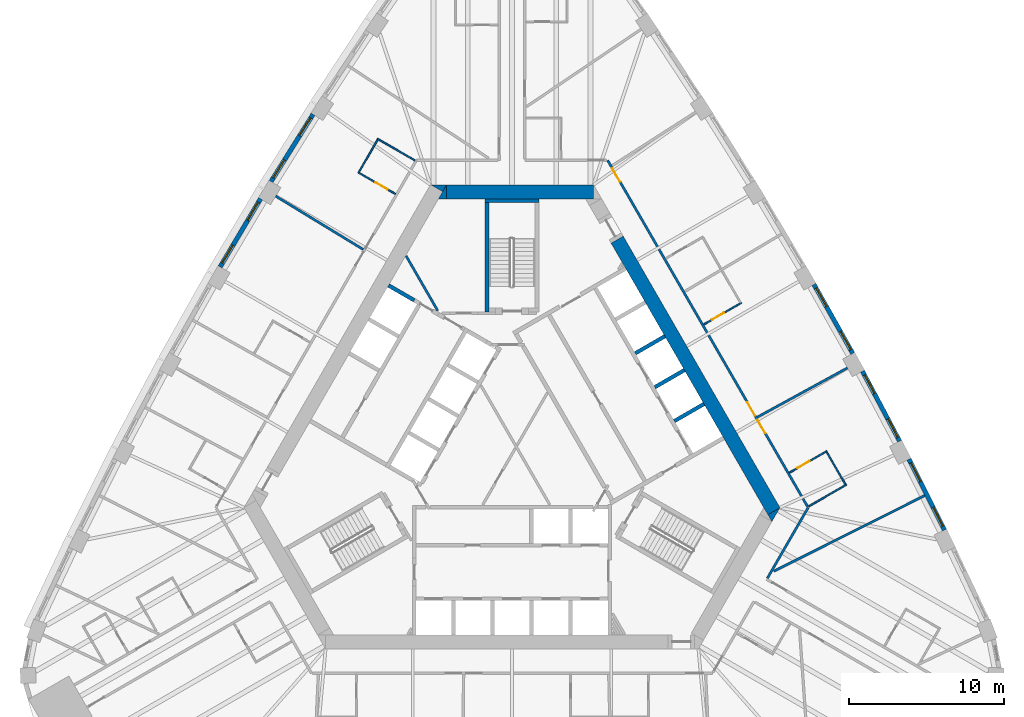
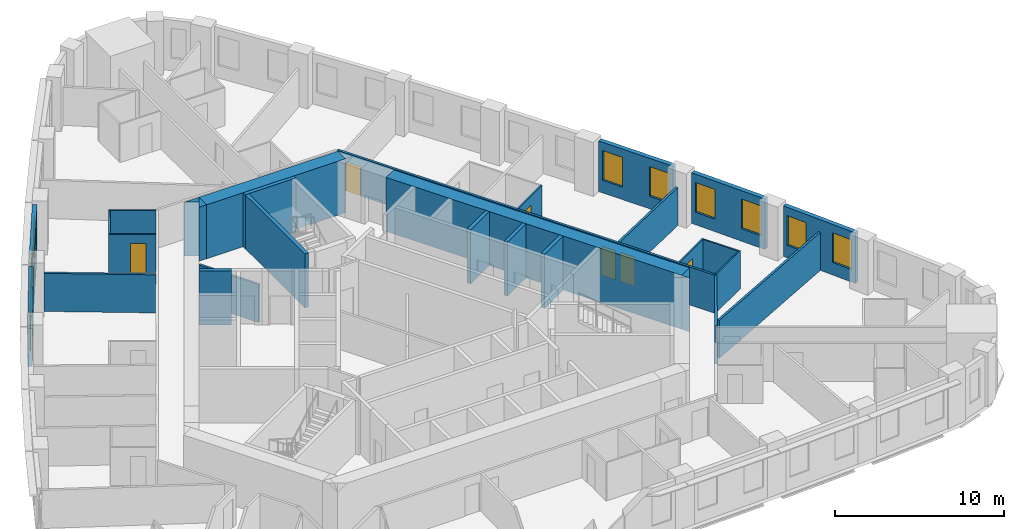
# One storey, part 9 of 12: 29 walls, 10 windows, 6 doors, 16 openings.
"""IFC4 building model written with IfcOpenShell, lengths in metres."""

from ifc_helpers import new_model, si_unit, direction, frame, frame_2d, origin, place, context, subcontext, project, spatial, polyline, rectangle, outline, extrude, material, layer, layer_set, type_object, element, fill, save


model = new_model("IFC4")

# Units and contexts
model_context = context("Model", 3, precision=1e-05, world=origin(), true_north=direction((0.0, 1.0)))
body_context = subcontext(model_context, "Body", "Model", "MODEL_VIEW")
ifc_project = project(units=[si_unit("LENGTHUNIT", "METRE"), si_unit("AREAUNIT", "SQUARE_METRE"), si_unit("VOLUMEUNIT", "CUBIC_METRE"), si_unit("PLANEANGLEUNIT", "RADIAN"), si_unit("MASSUNIT", "GRAM", prefix="KILO")], contexts=[model_context])

# Site, building, storey
site_placement = place(None, origin())
site = spatial("IfcSite", under=ifc_project, at=site_placement, CompositionType="ELEMENT")
building_placement = place(site_placement, origin())
building = spatial("IfcBuilding", under=site, at=building_placement, Name="Mestral Congress Tower", CompositionType="ELEMENT")
storey_placement = place(building_placement, frame((0.0, 0.0, 118.800048828125)))
storey = spatial("IfcBuildingStorey", under=building, at=storey_placement, Name="L28", CompositionType="ELEMENT", Elevation=118.800048828125)

# Walls
ifc_material_1 = material(Name="Fire-rated board partition")
ifc_layer_1 = layer(ifc_material_1, 0.14990234375)
ifc_layer_set_1 = layer_set([ifc_layer_1], Name="Fire-rated board partition")
wall_type_1 = type_object("IfcWallType", Name="Core partition 150", PredefinedType="PARTITIONING", material=ifc_layer_set_1)
wall_1_placement = place(storey_placement, frame((-6.8232421875, 12.318115234375, 0.0), z_axis=(0.0, 0.0, 1.0), x_axis=(0.500007885066, -0.866020851292, 0.0)))
element("IfcWall", 1, at=wall_1_placement, inside=storey, type_object=wall_type_1, Name="L28 core wall", PredefinedType="PARTITIONING", context=body_context, shape_type="SweptSolid", body=[
    extrude(rectangle(XDim=4.072265625, YDim=0.14990234375, at=frame_2d((2.0361328125, 0.0))), origin(), (0.0, 0.0, 1.0), 2.75),
])
ifc_material_2 = material(Name="Concrete C60/75", Category="concrete")
ifc_layer_2 = layer(ifc_material_2, 0.89990234375)
ifc_layer_set_2 = layer_set([ifc_layer_2], Name="Concrete C60/75")
wall_type_2 = type_object("IfcWallType", Name="Core wall RC 900", PredefinedType="SOLIDWALL", material=ifc_layer_set_2)
wall_2_placement = place(storey_placement, frame((6.77587890625, 13.36376953125, 0.0), z_axis=(0.0, 0.0, 1.0), x_axis=(0.500004177138, -0.8660229921, 0.0)))
element("IfcWall", 2, at=wall_2_placement, inside=storey, type_object=wall_type_2, Name="L28 core wall", PredefinedType="SOLIDWALL", context=body_context, shape_type="SweptSolid", body=[
    extrude(rectangle(XDim=20.203857421875, YDim=0.89990234375, at=frame_2d((10.10205078125, 0.0))), origin(), (0.0, 0.0, 1.0), 3.89990234375),
])
placement = place(storey_placement, origin())
element("IfcWall", 3, at=placement, inside=storey, type_object=wall_type_2, Name="L28 core wall", PredefinedType="SOLIDWALL", context=body_context, shape_type="SweptSolid", body=[
    extrude(outline(polyline([(16.7431640625, -4.800048828125), (16.4892578125, -4.360107421875), (17.251220703125, -3.920166015625), (16.7431640625, -4.800048828125)])), origin(), (0.0, 0.0, 1.0), 3.89990234375),
])
element("IfcWall", 4, at=placement, inside=storey, type_object=wall_type_2, Name="L28 core wall", PredefinedType="SOLIDWALL", context=body_context, shape_type="SweptSolid", body=[
    extrude(outline(polyline([(-4.214599609375, 16.89990234375), (-4.46875, 16.460205078125), (-5.230712890625, 16.89990234375), (-4.214599609375, 16.89990234375)])), origin(), (0.0, 0.0, 1.0), 3.89990234375),
])
wall_5_placement = place(storey_placement, frame((-4.224365234375, 16.449951171875, 0.0), z_axis=(0.0, 0.0, 1.0), x_axis=(1.0, 0.0, 0.0)))
element("IfcWall", 5, at=wall_5_placement, inside=storey, type_object=wall_type_2, Name="L28 core wall", PredefinedType="SOLIDWALL", context=body_context, shape_type="SweptSolid", body=[
    extrude(rectangle(XDim=9.48779296875, YDim=0.89990234375, at=frame_2d((4.743896484375, 0.0))), origin(), (0.0, 0.0, 1.0), 3.89990234375),
])
element("IfcWall", 6, at=placement, inside=storey, type_object=wall_type_2, Name="L28 core wall", PredefinedType="SOLIDWALL", context=body_context, shape_type="SweptSolid", body=[
    extrude(outline(polyline([(-4.734375, 16.0), (-4.226318359375, 16.8798828125), (-4.226318359375, 16.0), (-4.734375, 16.0)])), origin(), (0.0, 0.0, 1.0), 3.89990234375),
])

# Wall, openings, windows
ifc_material_3 = material(Name="Precast concrete C40/50 with limestone facing", Category="masonry")
ifc_layer_3 = layer(ifc_material_3, 0.2900390625)
ifc_layer_set_3 = layer_set([ifc_layer_3], Name="Precast concrete C40/50 with limestone facing")
wall_type_3 = type_object("IfcWallType", Name="Facade stone wall 290", PredefinedType="SOLIDWALL", material=ifc_layer_set_3)
wall_7_placement = place(storey_placement, frame((27.864013671875, -5.336181640625, 0.0), z_axis=(0.0, 0.0, 1.0), x_axis=(-0.448534297211, 0.893765620409, 0.0)))
wall_7 = element("IfcWall", 7, at=wall_7_placement, inside=storey, type_object=wall_type_3, Name="Facade wall F1-01", PredefinedType="SOLIDWALL", context=body_context, shape_type="SweptSolid", body=[
    extrude(rectangle(XDim=5.10009765625, YDim=0.2900390625, at=frame_2d((2.550048828125, 0.0))), origin(), (0.0, 0.0, 1.0), 3.64990234375),
])
opening_1_placement = place(wall_7_placement, frame((0.2724609375, 0.0, 0.89990234375)))
opening_1 = element("IfcOpeningElement", 8, at=opening_1_placement, cuts=wall_7, Name="Opening W2", PredefinedType="OPENING", context=body_context, shape_type="SweptSolid", body=[
    extrude(rectangle(XDim=1.35009765625, YDim=2.14990234375, at=frame_2d((0.675048828125, 1.074951171875))), frame((0.0, 0.155029296875, 0.0), z_axis=(0.0, -1.0, 0.0), x_axis=(1.0, 0.0, 0.0)), (0.0, 0.0, 1.0), 0.31005859375),
])
opening_2_placement = place(wall_7_placement, frame((3.477783203125, 0.0, 0.89990234375)))
opening_2 = element("IfcOpeningElement", 9, at=opening_2_placement, cuts=wall_7, Name="Opening W2", PredefinedType="OPENING", context=body_context, shape_type="SweptSolid", body=[
    extrude(rectangle(XDim=1.35009765625, YDim=2.14990234375, at=frame_2d((0.675048828125, 1.074951171875))), frame((0.0, 0.155029296875, 0.0), z_axis=(0.0, -1.0, 0.0), x_axis=(1.0, 0.0, 0.0)), (0.0, 0.0, 1.0), 0.31005859375),
])
ifc_material_4 = material(Name="Clear low-emissivity double glazing", Category="glass")
window_type = type_object("IfcWindowType", Name="Facade punched window 1350 x 2150 sill 900", PartitioningType="DOUBLE_PANEL_VERTICAL", PredefinedType="WINDOW", material=ifc_material_4)
window_1_placement = place(opening_1_placement, origin())
window_1 = element("IfcWindow", 10, at=window_1_placement, inside=storey, type_object=window_type, Name="Window F1-01a", OverallHeight=2.14990234375, OverallWidth=1.35009765625, PartitioningType="DOUBLE_PANEL_VERTICAL", PredefinedType="WINDOW", context=body_context, shape_type="SweptSolid", body=[
    extrude(rectangle(XDim=1.35009765625, YDim=2.14990234375, at=frame_2d((0.675048828125, 1.074951171875))), frame((0.0, 0.01513671875, 0.0), z_axis=(0.0, -1.0, 0.0), x_axis=(1.0, 0.0, 0.0)), (0.0, 0.0, 1.0), 0.06005859375),
])
fill(opening_1, window_1)
window_2_placement = place(opening_2_placement, origin())
window_2 = element("IfcWindow", 11, at=window_2_placement, inside=storey, type_object=window_type, Name="Window F1-01b", OverallHeight=2.14990234375, OverallWidth=1.35009765625, PartitioningType="DOUBLE_PANEL_VERTICAL", PredefinedType="WINDOW", context=body_context, shape_type="SweptSolid", body=[
    extrude(rectangle(XDim=1.35009765625, YDim=2.14990234375, at=frame_2d((0.675048828125, 1.074951171875))), frame((0.0, 0.01513671875, 0.0), z_axis=(0.0, -1.0, 0.0), x_axis=(1.0, 0.0, 0.0)), (0.0, 0.0, 1.0), 0.06005859375),
])
fill(opening_2, window_2)

wall_8_placement = place(storey_placement, frame((24.976806640625, 0.3828125, 0.0), z_axis=(0.0, 0.0, 1.0), x_axis=(-0.469323203119, 0.883026461106, 0.0)))
wall_8 = element("IfcWall", 12, at=wall_8_placement, inside=storey, type_object=wall_type_3, Name="Facade wall F1-02", PredefinedType="SOLIDWALL", context=body_context, shape_type="SweptSolid", body=[
    extrude(rectangle(XDim=5.1005859375, YDim=0.2900390625, at=frame_2d((2.55029296875, 0.0))), origin(), (0.0, 0.0, 1.0), 3.64990234375),
])
opening_3_placement = place(wall_8_placement, frame((0.272705078125, 0.0, 0.89990234375)))
opening_3 = element("IfcOpeningElement", 13, at=opening_3_placement, cuts=wall_8, Name="Opening W2", PredefinedType="OPENING", context=body_context, shape_type="SweptSolid", body=[
    extrude(rectangle(XDim=1.35009765625, YDim=2.14990234375, at=frame_2d((0.675048828125, 1.074951171875))), frame((0.0, 0.155029296875, 0.0), z_axis=(0.0, -1.0, 0.0), x_axis=(1.0, 0.0, 0.0)), (0.0, 0.0, 1.0), 0.31005859375),
])
opening_4_placement = place(wall_8_placement, frame((3.477783203125, 0.0, 0.89990234375)))
opening_4 = element("IfcOpeningElement", 14, at=opening_4_placement, cuts=wall_8, Name="Opening W2", PredefinedType="OPENING", context=body_context, shape_type="SweptSolid", body=[
    extrude(rectangle(XDim=1.35009765625, YDim=2.14990234375, at=frame_2d((0.675048828125, 1.074951171875))), frame((0.0, 0.155029296875, 0.0), z_axis=(0.0, -1.0, 0.0), x_axis=(1.0, 0.0, 0.0)), (0.0, 0.0, 1.0), 0.31005859375),
])
window_3_placement = place(opening_3_placement, origin())
window_3 = element("IfcWindow", 15, at=window_3_placement, inside=storey, type_object=window_type, Name="Window F1-02a", OverallHeight=2.14990234375, OverallWidth=1.35009765625, PartitioningType="DOUBLE_PANEL_VERTICAL", PredefinedType="WINDOW", context=body_context, shape_type="SweptSolid", body=[
    extrude(rectangle(XDim=1.35009765625, YDim=2.14990234375, at=frame_2d((0.675048828125, 1.074951171875))), frame((0.0, 0.01513671875, 0.0), z_axis=(0.0, -1.0, 0.0), x_axis=(1.0, 0.0, 0.0)), (0.0, 0.0, 1.0), 0.06005859375),
])
fill(opening_3, window_3)
window_4_placement = place(opening_4_placement, origin())
window_4 = element("IfcWindow", 16, at=window_4_placement, inside=storey, type_object=window_type, Name="Window F1-02b", OverallHeight=2.14990234375, OverallWidth=1.35009765625, PartitioningType="DOUBLE_PANEL_VERTICAL", PredefinedType="WINDOW", context=body_context, shape_type="SweptSolid", body=[
    extrude(rectangle(XDim=1.35009765625, YDim=2.14990234375, at=frame_2d((0.675048828125, 1.074951171875))), frame((0.0, 0.01513671875, 0.0), z_axis=(0.0, -1.0, 0.0), x_axis=(1.0, 0.0, 0.0)), (0.0, 0.0, 1.0), 0.06005859375),
])
fill(opening_4, window_4)

wall_9_placement = place(storey_placement, frame((21.956298828125, 6.033203125, 0.0), z_axis=(0.0, 0.0, 1.0), x_axis=(-0.48983164787, 0.87181704316, 0.0)))
wall_9 = element("IfcWall", 17, at=wall_9_placement, inside=storey, type_object=wall_type_3, Name="Facade wall F1-03", PredefinedType="SOLIDWALL", context=body_context, shape_type="SweptSolid", body=[
    extrude(rectangle(XDim=5.100341796875, YDim=0.2900390625, at=frame_2d((2.55029296875, 0.0))), origin(), (0.0, 0.0, 1.0), 3.64990234375),
])
opening_5_placement = place(wall_9_placement, frame((0.272705078125, 0.0, 0.89990234375)))
opening_5 = element("IfcOpeningElement", 18, at=opening_5_placement, cuts=wall_9, Name="Opening W2", PredefinedType="OPENING", context=body_context, shape_type="SweptSolid", body=[
    extrude(rectangle(XDim=1.35009765625, YDim=2.14990234375, at=frame_2d((0.675048828125, 1.074951171875))), frame((0.0, 0.155029296875, 0.0), z_axis=(0.0, -1.0, 0.0), x_axis=(1.0, 0.0, 0.0)), (0.0, 0.0, 1.0), 0.31005859375),
])
opening_6_placement = place(wall_9_placement, frame((3.477783203125, 0.0, 0.89990234375)))
opening_6 = element("IfcOpeningElement", 19, at=opening_6_placement, cuts=wall_9, Name="Opening W2", PredefinedType="OPENING", context=body_context, shape_type="SweptSolid", body=[
    extrude(rectangle(XDim=1.35009765625, YDim=2.14990234375, at=frame_2d((0.675048828125, 1.074951171875))), frame((0.0, 0.155029296875, 0.0), z_axis=(0.0, -1.0, 0.0), x_axis=(1.0, 0.0, 0.0)), (0.0, 0.0, 1.0), 0.31005859375),
])
window_5_placement = place(opening_5_placement, origin())
window_5 = element("IfcWindow", 20, at=window_5_placement, inside=storey, type_object=window_type, Name="Window F1-03a", OverallHeight=2.14990234375, OverallWidth=1.35009765625, PartitioningType="DOUBLE_PANEL_VERTICAL", PredefinedType="WINDOW", context=body_context, shape_type="SweptSolid", body=[
    extrude(rectangle(XDim=1.35009765625, YDim=2.14990234375, at=frame_2d((0.675048828125, 1.074951171875))), frame((0.0, 0.01513671875, 0.0), z_axis=(0.0, -1.0, 0.0), x_axis=(1.0, 0.0, 0.0)), (0.0, 0.0, 1.0), 0.06005859375),
])
fill(opening_5, window_5)
window_6_placement = place(opening_6_placement, origin())
window_6 = element("IfcWindow", 21, at=window_6_placement, inside=storey, type_object=window_type, Name="Window F1-03b", OverallHeight=2.14990234375, OverallWidth=1.35009765625, PartitioningType="DOUBLE_PANEL_VERTICAL", PredefinedType="WINDOW", context=body_context, shape_type="SweptSolid", body=[
    extrude(rectangle(XDim=1.35009765625, YDim=2.14990234375, at=frame_2d((0.675048828125, 1.074951171875))), frame((0.0, 0.01513671875, 0.0), z_axis=(0.0, -1.0, 0.0), x_axis=(1.0, 0.0, 0.0)), (0.0, 0.0, 1.0), 0.06005859375),
])
fill(opening_6, window_6)

wall_10_placement = place(storey_placement, frame((-12.820068359375, 21.43896484375, 0.0), z_axis=(0.0, 0.0, 1.0), x_axis=(-0.530072082134, -0.847952585787, 0.0)))
wall_10 = element("IfcWall", 22, at=wall_10_placement, inside=storey, type_object=wall_type_3, Name="Facade wall F2-02", PredefinedType="SOLIDWALL", context=body_context, shape_type="SweptSolid", body=[
    extrude(rectangle(XDim=5.100341796875, YDim=0.2900390625, at=frame_2d((2.55029296875, 0.0))), origin(), (0.0, 0.0, 1.0), 3.64990234375),
])
opening_7_placement = place(wall_10_placement, frame((0.272705078125, 0.0, 0.89990234375)))
opening_7 = element("IfcOpeningElement", 23, at=opening_7_placement, cuts=wall_10, Name="Opening W2", PredefinedType="OPENING", context=body_context, shape_type="SweptSolid", body=[
    extrude(rectangle(XDim=1.35009765625, YDim=2.14990234375, at=frame_2d((0.675048828125, 1.074951171875))), frame((0.0, 0.155029296875, 0.0), z_axis=(0.0, -1.0, 0.0), x_axis=(1.0, 0.0, 0.0)), (0.0, 0.0, 1.0), 0.31005859375),
])
opening_8_placement = place(wall_10_placement, frame((3.477783203125, 0.0, 0.89990234375)))
opening_8 = element("IfcOpeningElement", 24, at=opening_8_placement, cuts=wall_10, Name="Opening W2", PredefinedType="OPENING", context=body_context, shape_type="SweptSolid", body=[
    extrude(rectangle(XDim=1.35009765625, YDim=2.14990234375, at=frame_2d((0.675048828125, 1.074951171875))), frame((0.0, 0.155029296875, 0.0), z_axis=(0.0, -1.0, 0.0), x_axis=(1.0, 0.0, 0.0)), (0.0, 0.0, 1.0), 0.31005859375),
])
window_7_placement = place(opening_7_placement, origin())
window_7 = element("IfcWindow", 25, at=window_7_placement, inside=storey, type_object=window_type, Name="Window F2-02a", OverallHeight=2.14990234375, OverallWidth=1.35009765625, PartitioningType="DOUBLE_PANEL_VERTICAL", PredefinedType="WINDOW", context=body_context, shape_type="SweptSolid", body=[
    extrude(rectangle(XDim=1.35009765625, YDim=2.14990234375, at=frame_2d((0.675048828125, 1.074951171875))), frame((0.0, 0.01513671875, 0.0), z_axis=(0.0, -1.0, 0.0), x_axis=(1.0, 0.0, 0.0)), (0.0, 0.0, 1.0), 0.06005859375),
])
fill(opening_7, window_7)
window_8_placement = place(opening_8_placement, origin())
window_8 = element("IfcWindow", 26, at=window_8_placement, inside=storey, type_object=window_type, Name="Window F2-02b", OverallHeight=2.14990234375, OverallWidth=1.35009765625, PartitioningType="DOUBLE_PANEL_VERTICAL", PredefinedType="WINDOW", context=body_context, shape_type="SweptSolid", body=[
    extrude(rectangle(XDim=1.35009765625, YDim=2.14990234375, at=frame_2d((0.675048828125, 1.074951171875))), frame((0.0, 0.01513671875, 0.0), z_axis=(0.0, -1.0, 0.0), x_axis=(1.0, 0.0, 0.0)), (0.0, 0.0, 1.0), 0.06005859375),
])
fill(opening_8, window_8)

wall_11_placement = place(storey_placement, frame((-16.203125, 15.998291015625, 0.0), z_axis=(0.0, 0.0, 1.0), x_axis=(-0.510054281659, -0.860142214847, 0.0)))
wall_11 = element("IfcWall", 27, at=wall_11_placement, inside=storey, type_object=wall_type_3, Name="Facade wall F2-03", PredefinedType="SOLIDWALL", context=body_context, shape_type="SweptSolid", body=[
    extrude(rectangle(XDim=5.1005859375, YDim=0.2900390625, at=frame_2d((2.55029296875, 0.0))), origin(), (0.0, 0.0, 1.0), 3.64990234375),
])
opening_9_placement = place(wall_11_placement, frame((0.272705078125, 0.0, 0.89990234375)))
opening_9 = element("IfcOpeningElement", 28, at=opening_9_placement, cuts=wall_11, Name="Opening W2", PredefinedType="OPENING", context=body_context, shape_type="SweptSolid", body=[
    extrude(rectangle(XDim=1.35009765625, YDim=2.14990234375, at=frame_2d((0.675048828125, 1.074951171875))), frame((0.0, 0.155029296875, 0.0), z_axis=(0.0, -1.0, 0.0), x_axis=(1.0, 0.0, 0.0)), (0.0, 0.0, 1.0), 0.31005859375),
])
opening_10_placement = place(wall_11_placement, frame((3.477783203125, 0.0, 0.89990234375)))
opening_10 = element("IfcOpeningElement", 29, at=opening_10_placement, cuts=wall_11, Name="Opening W2", PredefinedType="OPENING", context=body_context, shape_type="SweptSolid", body=[
    extrude(rectangle(XDim=1.35009765625, YDim=2.14990234375, at=frame_2d((0.675048828125, 1.074951171875))), frame((0.0, 0.155029296875, 0.0), z_axis=(0.0, -1.0, 0.0), x_axis=(1.0, 0.0, 0.0)), (0.0, 0.0, 1.0), 0.31005859375),
])
window_9_placement = place(opening_9_placement, origin())
window_9 = element("IfcWindow", 30, at=window_9_placement, inside=storey, type_object=window_type, Name="Window F2-03a", OverallHeight=2.14990234375, OverallWidth=1.35009765625, PartitioningType="DOUBLE_PANEL_VERTICAL", PredefinedType="WINDOW", context=body_context, shape_type="SweptSolid", body=[
    extrude(rectangle(XDim=1.35009765625, YDim=2.14990234375, at=frame_2d((0.675048828125, 1.074951171875))), frame((0.0, 0.01513671875, 0.0), z_axis=(0.0, -1.0, 0.0), x_axis=(1.0, 0.0, 0.0)), (0.0, 0.0, 1.0), 0.06005859375),
])
fill(opening_9, window_9)
window_10_placement = place(opening_10_placement, origin())
window_10 = element("IfcWindow", 31, at=window_10_placement, inside=storey, type_object=window_type, Name="Window F2-03b", OverallHeight=2.14990234375, OverallWidth=1.35009765625, PartitioningType="DOUBLE_PANEL_VERTICAL", PredefinedType="WINDOW", context=body_context, shape_type="SweptSolid", body=[
    extrude(rectangle(XDim=1.35009765625, YDim=2.14990234375, at=frame_2d((0.675048828125, 1.074951171875))), frame((0.0, 0.01513671875, 0.0), z_axis=(0.0, -1.0, 0.0), x_axis=(1.0, 0.0, 0.0)), (0.0, 0.0, 1.0), 0.06005859375),
])
fill(opening_10, window_10)

# Wall, opening, door
ifc_material_5 = material(Name="Gypsum board partition on metal studs with mineral wool", Category="composite")
ifc_layer_4 = layer(ifc_material_5, 0.10009765625)
ifc_layer_set_4 = layer_set([ifc_layer_4], Name="Gypsum board partition on metal studs with mineral wool")
wall_type_4 = type_object("IfcWallType", Name="Hotel partition wall 100", PredefinedType="PARTITIONING", material=ifc_layer_set_4)
wall_12_placement = place(storey_placement, frame((20.296142578125, -0.254150390625, 0.0), z_axis=(0.0, 0.0, 1.0), x_axis=(-0.866034573852, -0.49998411664, 0.0)))
wall_12 = element("IfcWall", 32, at=wall_12_placement, inside=storey, type_object=wall_type_4, Name="L28-h-pod08a", PredefinedType="PARTITIONING", context=body_context, shape_type="SweptSolid", body=[
    extrude(rectangle(XDim=2.7998046875, YDim=0.10009765625, at=frame_2d((1.39990234375, 0.0))), origin(), (0.0, 0.0, 1.0), 2.75),
])
opening_11_placement = place(wall_12_placement, frame((1.300048828125, 0.0, 0.0)))
opening_11 = element("IfcOpeningElement", 33, at=opening_11_placement, cuts=wall_12, Name="Opening H09-016", PredefinedType="OPENING", context=body_context, shape_type="SweptSolid", body=[
    extrude(rectangle(XDim=0.89990234375, YDim=2.10009765625, at=frame_2d((0.449951171875, 1.050048828125))), frame((0.0, 0.06005859375, 0.0), z_axis=(0.0, -1.0, 0.0), x_axis=(1.0, 0.0, 0.0)), (0.0, 0.0, 1.0), 0.1201171875),
])
ifc_material_6 = material(Name="Timber veneer door leaf in timber frame", Category="wood")
door_type_1 = type_object("IfcDoorType", Name="Bathroom door 900", OperationType="SINGLE_SWING_LEFT", PredefinedType="DOOR", material=ifc_material_6)
door_1_placement = place(opening_11_placement, origin())
door_1 = element("IfcDoor", 34, at=door_1_placement, inside=storey, type_object=door_type_1, Name="L28-h-d016", OperationType="SINGLE_SWING_LEFT", OverallHeight=2.10009765625, OverallWidth=0.89990234375, PredefinedType="DOOR", context=body_context, shape_type="SweptSolid", body=[
    extrude(rectangle(XDim=0.89990234375, YDim=2.10009765625, at=frame_2d((0.449951171875, 1.050048828125))), frame((0.0, 0.02490234375, 0.0), z_axis=(0.0, -1.0, 0.0), x_axis=(1.0, 0.0, 0.0)), (0.0, 0.0, 1.0), 0.050048828125),
])
fill(opening_11, door_1)

# Walls
wall_13_placement = place(storey_placement, frame((20.27783203125, -0.322509765625, 0.0), z_axis=(0.0, 0.0, 1.0), x_axis=(0.500001309137, -0.866024647952, 0.0)))
element("IfcWall", 35, at=wall_13_placement, inside=storey, type_object=wall_type_4, Name="L28-h-pod08b", PredefinedType="PARTITIONING", context=body_context, shape_type="SweptSolid", body=[
    extrude(rectangle(XDim=2.39990234375, YDim=0.10009765625, at=frame_2d((1.199951171875, 0.0))), origin(), (0.0, 0.0, 1.0), 2.75),
])
wall_14_placement = place(storey_placement, frame((19.121337890625, -3.819091796875, 0.0), z_axis=(0.0, 0.0, 1.0), x_axis=(0.866034573852, 0.49998411664, 0.0)))
element("IfcWall", 36, at=wall_14_placement, inside=storey, type_object=wall_type_4, Name="L28-h-pod08c", PredefinedType="PARTITIONING", context=body_context, shape_type="SweptSolid", body=[
    extrude(rectangle(XDim=2.7998046875, YDim=0.10009765625, at=frame_2d((1.39990234375, 0.0))), origin(), (0.0, 0.0, 1.0), 2.75),
])

# Wall, opening, door
wall_15_placement = place(storey_placement, frame((12.35546875, 7.89990234375, 0.0), z_axis=(0.0, 0.0, 1.0), x_axis=(0.866034573852, 0.49998411664, 0.0)))
wall_15 = element("IfcWall", 37, at=wall_15_placement, inside=storey, type_object=wall_type_4, Name="L28-h-pod09a", PredefinedType="PARTITIONING", context=body_context, shape_type="SweptSolid", body=[
    extrude(rectangle(XDim=2.7998046875, YDim=0.10009765625, at=frame_2d((1.39990234375, 0.0))), origin(), (0.0, 0.0, 1.0), 2.75),
])
opening_12_placement = place(wall_15_placement, frame((0.60009765625, 0.0, 0.0)))
opening_12 = element("IfcOpeningElement", 38, at=opening_12_placement, cuts=wall_15, Name="Opening H09-018", PredefinedType="OPENING", context=body_context, shape_type="SweptSolid", body=[
    extrude(rectangle(XDim=0.89990234375, YDim=2.10009765625, at=frame_2d((0.449951171875, 1.050048828125))), frame((0.0, 0.06005859375, 0.0), z_axis=(0.0, -1.0, 0.0), x_axis=(1.0, 0.0, 0.0)), (0.0, 0.0, 1.0), 0.1201171875),
])
door_2_placement = place(opening_12_placement, origin())
door_2 = element("IfcDoor", 39, at=door_2_placement, inside=storey, type_object=door_type_1, Name="L28-h-d018", OperationType="SINGLE_SWING_RIGHT", OverallHeight=2.10009765625, OverallWidth=0.89990234375, PredefinedType="DOOR", context=body_context, shape_type="SweptSolid", body=[
    extrude(rectangle(XDim=0.89990234375, YDim=2.10009765625, at=frame_2d((0.449951171875, 1.050048828125))), frame((0.0, 0.02490234375, 0.0), z_axis=(0.0, -1.0, 0.0), x_axis=(1.0, 0.0, 0.0)), (0.0, 0.0, 1.0), 0.050048828125),
])
fill(opening_12, door_2)

wall_16_placement = place(storey_placement, frame((-9.927978515625, 17.7041015625, 0.0), z_axis=(0.0, 0.0, 1.0), x_axis=(0.866034573852, -0.49998411664, 0.0)))
wall_16 = element("IfcWall", 40, at=wall_16_placement, inside=storey, type_object=wall_type_4, Name="L28-h-pod14a", PredefinedType="PARTITIONING", context=body_context, shape_type="SweptSolid", body=[
    extrude(rectangle(XDim=2.7998046875, YDim=0.10009765625, at=frame_2d((1.39990234375, 0.0))), origin(), (0.0, 0.0, 1.0), 2.75),
])
opening_13_placement = place(wall_16_placement, frame((1.300048828125, 0.0, 0.0)))
opening_13 = element("IfcOpeningElement", 41, at=opening_13_placement, cuts=wall_16, Name="Opening H09-028", PredefinedType="OPENING", context=body_context, shape_type="SweptSolid", body=[
    extrude(rectangle(XDim=0.89990234375, YDim=2.10009765625, at=frame_2d((0.449951171875, 1.050048828125))), frame((0.0, 0.06005859375, 0.0), z_axis=(0.0, -1.0, 0.0), x_axis=(1.0, 0.0, 0.0)), (0.0, 0.0, 1.0), 0.1201171875),
])
door_3_placement = place(opening_13_placement, origin())
door_3 = element("IfcDoor", 42, at=door_3_placement, inside=storey, type_object=door_type_1, Name="L28-h-d028", OperationType="SINGLE_SWING_LEFT", OverallHeight=2.10009765625, OverallWidth=0.89990234375, PredefinedType="DOOR", context=body_context, shape_type="SweptSolid", body=[
    extrude(rectangle(XDim=0.89990234375, YDim=2.10009765625, at=frame_2d((0.449951171875, 1.050048828125))), frame((0.0, 0.02490234375, 0.0), z_axis=(0.0, -1.0, 0.0), x_axis=(1.0, 0.0, 0.0)), (0.0, 0.0, 1.0), 0.050048828125),
])
fill(opening_13, door_3)

# Walls
wall_17_placement = place(storey_placement, frame((-9.859619140625, 17.722412109375, 0.0), z_axis=(0.0, 0.0, 1.0), x_axis=(0.500001309137, 0.866024647952, 0.0)))
element("IfcWall", 43, at=wall_17_placement, inside=storey, type_object=wall_type_4, Name="L28-h-pod14b", PredefinedType="PARTITIONING", context=body_context, shape_type="SweptSolid", body=[
    extrude(rectangle(XDim=2.39990234375, YDim=0.10009765625, at=frame_2d((1.199951171875, 0.0))), origin(), (0.0, 0.0, 1.0), 2.75),
])
wall_18_placement = place(storey_placement, frame((-6.253173828125, 18.46923828125, 0.0), z_axis=(0.0, 0.0, 1.0), x_axis=(-0.866034573852, 0.49998411664, 0.0)))
element("IfcWall", 44, at=wall_18_placement, inside=storey, type_object=wall_type_4, Name="L28-h-pod14c", PredefinedType="PARTITIONING", context=body_context, shape_type="SweptSolid", body=[
    extrude(rectangle(XDim=2.7998046875, YDim=0.10009765625, at=frame_2d((1.39990234375, 0.0))), origin(), (0.0, 0.0, 1.0), 2.75),
])
ifc_layer_5 = layer(ifc_material_5, 0.14990234375)
ifc_layer_set_5 = layer_set([ifc_layer_5], Name="Gypsum board partition on metal studs with mineral wool")
wall_type_5 = type_object("IfcWallType", Name="Hotel partition wall 150", PredefinedType="PARTITIONING", material=ifc_layer_set_5)
wall_19_placement = place(storey_placement, frame((19.081298828125, -3.89990234375, 0.0), z_axis=(0.0, 0.0, 1.0), x_axis=(-0.499974327079, -0.866040225545, 0.0)))
element("IfcWall", 45, at=wall_19_placement, inside=storey, type_object=wall_type_5, Name="L28-h-cw02", PredefinedType="PARTITIONING", context=body_context, shape_type="SweptSolid", body=[
    extrude(rectangle(XDim=5.258056640625, YDim=0.14990234375, at=frame_2d((2.62890625, 0.0))), origin(), (0.0, 0.0, 1.0), 2.75),
])

# Wall, openings, doors
wall_20_placement = place(storey_placement, frame((6.1630859375, 18.47509765625, 0.0), z_axis=(0.0, 0.0, 1.0), x_axis=(0.500001317485, -0.866024643133, 0.0)))
wall_20 = element("IfcWall", 46, at=wall_20_placement, inside=storey, type_object=wall_type_5, Name="L28-h-cw03", PredefinedType="PARTITIONING", context=body_context, shape_type="SweptSolid", body=[
    extrude(rectangle(XDim=25.7666015625, YDim=0.14990234375, at=frame_2d((12.88330078125, 0.0))), origin(), (0.0, 0.0, 1.0), 2.75),
])
opening_14_placement = place(wall_20_placement, frame((19.306396484375, 0.0, 0.0)))
opening_14 = element("IfcOpeningElement", 47, at=opening_14_placement, cuts=wall_20, Name="Opening H09-015", PredefinedType="OPENING", context=body_context, shape_type="SweptSolid", body=[
    extrude(rectangle(XDim=1.0, YDim=2.10009765625, at=frame_2d((0.5, 1.050048828125))), frame((0.0, 0.0849609375, 0.0), z_axis=(0.0, -1.0, 0.0), x_axis=(1.0, 0.0, 0.0)), (0.0, 0.0, 1.0), 0.169921875),
])
opening_15_placement = place(wall_20_placement, frame((17.99853515625, 0.0, 0.0)))
opening_15 = element("IfcOpeningElement", 48, at=opening_15_placement, cuts=wall_20, Name="Opening H09-017", PredefinedType="OPENING", context=body_context, shape_type="SweptSolid", body=[
    extrude(rectangle(XDim=1.0, YDim=2.10009765625, at=frame_2d((0.5, 1.050048828125))), frame((0.0, 0.0849609375, 0.0), z_axis=(0.0, -1.0, 0.0), x_axis=(1.0, 0.0, 0.0)), (0.0, 0.0, 1.0), 0.169921875),
])
opening_16_placement = place(wall_20_placement, frame((0.595703125, 0.0, 0.0)))
opening_16 = element("IfcOpeningElement", 49, at=opening_16_placement, cuts=wall_20, Name="Opening H09-019", PredefinedType="OPENING", context=body_context, shape_type="SweptSolid", body=[
    extrude(rectangle(XDim=1.0, YDim=2.10009765625, at=frame_2d((0.5, 1.050048828125))), frame((0.0, 0.0849609375, 0.0), z_axis=(0.0, -1.0, 0.0), x_axis=(1.0, 0.0, 0.0)), (0.0, 0.0, 1.0), 0.169921875),
])
ifc_material_7 = material(Name="Timber veneer door leaf in metal frame", Category="wood")
door_type_2 = type_object("IfcDoorType", Name="Guest room entrance door 1000", OperationType="SINGLE_SWING_LEFT", PredefinedType="DOOR", material=ifc_material_7)
door_4_placement = place(opening_14_placement, origin())
door_4 = element("IfcDoor", 50, at=door_4_placement, inside=storey, type_object=door_type_2, Name="L28-h-d015", OperationType="SINGLE_SWING_LEFT", OverallHeight=2.10009765625, OverallWidth=1.0, PredefinedType="DOOR", context=body_context, shape_type="SweptSolid", body=[
    extrude(rectangle(XDim=1.0, YDim=2.10009765625, at=frame_2d((0.5, 1.050048828125))), frame((0.0, 0.02490234375, 0.0), z_axis=(0.0, -1.0, 0.0), x_axis=(1.0, 0.0, 0.0)), (0.0, 0.0, 1.0), 0.050048828125),
])
fill(opening_14, door_4)
door_5_placement = place(opening_15_placement, origin())
door_5 = element("IfcDoor", 51, at=door_5_placement, inside=storey, type_object=door_type_2, Name="L28-h-d017", OperationType="SINGLE_SWING_RIGHT", OverallHeight=2.10009765625, OverallWidth=1.0, PredefinedType="DOOR", context=body_context, shape_type="SweptSolid", body=[
    extrude(rectangle(XDim=1.0, YDim=2.10009765625, at=frame_2d((0.5, 1.050048828125))), frame((0.0, 0.02490234375, 0.0), z_axis=(0.0, -1.0, 0.0), x_axis=(1.0, 0.0, 0.0)), (0.0, 0.0, 1.0), 0.050048828125),
])
fill(opening_15, door_5)
door_6_placement = place(opening_16_placement, origin())
door_6 = element("IfcDoor", 52, at=door_6_placement, inside=storey, type_object=door_type_2, Name="L28-h-d019", OperationType="SINGLE_SWING_LEFT", OverallHeight=2.10009765625, OverallWidth=1.0, PredefinedType="DOOR", context=body_context, shape_type="SweptSolid", body=[
    extrude(rectangle(XDim=1.0, YDim=2.10009765625, at=frame_2d((0.5, 1.050048828125))), frame((0.0, 0.02490234375, 0.0), z_axis=(0.0, -1.0, 0.0), x_axis=(1.0, 0.0, 0.0)), (0.0, 0.0, 1.0), 0.050048828125),
])
fill(opening_16, door_6)

# Walls
wall_21_placement = place(storey_placement, frame((-15.22509765625, 16.16748046875, 0.0), z_axis=(0.0, 0.0, 1.0), x_axis=(0.854088713274, -0.520127359266, 0.0)))
element("IfcWall", 53, at=wall_21_placement, inside=storey, type_object=wall_type_5, Name="L28-h-pw08", PredefinedType="PARTITIONING", context=body_context, shape_type="SweptSolid", body=[
    extrude(rectangle(XDim=6.61083984375, YDim=0.14990234375, at=frame_2d((3.305419921875, 0.0))), origin(), (0.0, 0.0, 1.0), 2.75),
])
wall_22_placement = place(storey_placement, frame((21.614013671875, 5.1015625, 0.0), z_axis=(0.0, 0.0, 1.0), x_axis=(-0.877484555087, -0.479604895287, 0.0)))
element("IfcWall", 54, at=wall_22_placement, inside=storey, type_object=wall_type_5, Name="L28-h-pw18", PredefinedType="PARTITIONING", context=body_context, shape_type="SweptSolid", body=[
    extrude(rectangle(XDim=6.611083984375, YDim=0.14990234375, at=frame_2d((3.3056640625, 0.0))), origin(), (0.0, 0.0, 1.0), 2.75),
])
wall_23_placement = place(storey_placement, frame((26.590576171875, -3.1220703125, 0.0), z_axis=(0.0, 0.0, 1.0), x_axis=(-0.893766213273, -0.448533115847, 0.0)))
element("IfcWall", 55, at=wall_23_placement, inside=storey, type_object=wall_type_5, Name="L28-h-pw19", PredefinedType="PARTITIONING", context=body_context, shape_type="SweptSolid", body=[
    extrude(rectangle(XDim=10.875244140625, YDim=0.14990234375, at=frame_2d((5.4375, 0.0))), origin(), (0.0, 0.0, 1.0), 2.75),
])
ifc_layer_6 = layer(ifc_material_2, 0.25)
ifc_layer_set_6 = layer_set([ifc_layer_6], Name="Concrete C60/75")
wall_type_6 = type_object("IfcWallType", Name="Shaft wall RC 250", PredefinedType="SOLIDWALL", material=ifc_layer_set_6)
for number, where, z_axis, x_axis, name in (
    (56, (10.463623046875, 1.676513671875, 0.0), (0.0, 0.0, 1.0), (0.86605622881, 0.499946605688, 0.0), "L28 core wall"),
    (57, (9.20361328125, 3.85888671875, 0.0), (0.0, 0.0, 1.0), (0.86605622881, 0.499946605688, 0.0), "L28 core wall"),
    (58, (7.943603515625, 6.041259765625, 0.0), (0.0, 0.0, 1.0), (0.86605622881, 0.499946605688, 0.0), "L28 core wall"),
):
    element("IfcWall", number, at=place(storey_placement, frame(where, z_axis=z_axis, x_axis=x_axis)), inside=storey, type_object=wall_type_6, Name=name, PredefinedType="SOLIDWALL", context=body_context, shape_type="SweptSolid", body=[
        extrude(rectangle(XDim=2.199951171875, YDim=0.25, at=frame_2d((1.10009765625, 0.0))), origin(), (0.0, 0.0, 1.0), 3.89990234375),
    ])
wall_24_placement = place(storey_placement, frame((-6.29638671875, 9.454833984375, 0.0), z_axis=(0.0, 0.0, 1.0), x_axis=(-0.866011930837, 0.500023335103, 0.0)))
element("IfcWall", 59, at=wall_24_placement, inside=storey, type_object=wall_type_6, Name="L28 core wall", PredefinedType="SOLIDWALL", context=body_context, shape_type="SweptSolid", body=[
    extrude(rectangle(XDim=1.919921875, YDim=0.25, at=frame_2d((0.9599609375, 0.0))), origin(), (0.0, 0.0, 1.0), 3.89990234375),
])
ifc_layer_7 = layer(ifc_material_2, 0.25)
ifc_layer_set_7 = layer_set([ifc_layer_7], Name="Concrete C60/75")
wall_type_7 = type_object("IfcWallType", Name="Stair wall RC 250", PredefinedType="SOLIDWALL", material=ifc_layer_set_7)
wall_25_placement = place(storey_placement, frame((-1.72509765625, 15.875, 0.0), z_axis=(0.0, 0.0, 1.0), x_axis=(1.0, 0.0, 0.0)))
element("IfcWall", 60, at=wall_25_placement, inside=storey, type_object=wall_type_7, Name="L28 core wall", PredefinedType="SOLIDWALL", context=body_context, shape_type="SweptSolid", body=[
    extrude(rectangle(XDim=3.4501953125, YDim=0.25, at=frame_2d((1.72509765625, 0.0))), origin(), (0.0, 0.0, 1.0), 3.89990234375),
])
wall_26_placement = place(storey_placement, frame((-1.60009765625, 8.699951171875, 0.0), z_axis=(0.0, 0.0, 1.0), x_axis=(0.0, 1.0, 0.0)))
element("IfcWall", 61, at=wall_26_placement, inside=storey, type_object=wall_type_7, Name="L28 core wall", PredefinedType="SOLIDWALL", context=body_context, shape_type="SweptSolid", body=[
    extrude(rectangle(XDim=7.050048828125, YDim=0.25, at=frame_2d((3.52490234375, 0.0))), origin(), (0.0, 0.0, 1.0), 3.89990234375),
])

save(model, "model.ifc")
